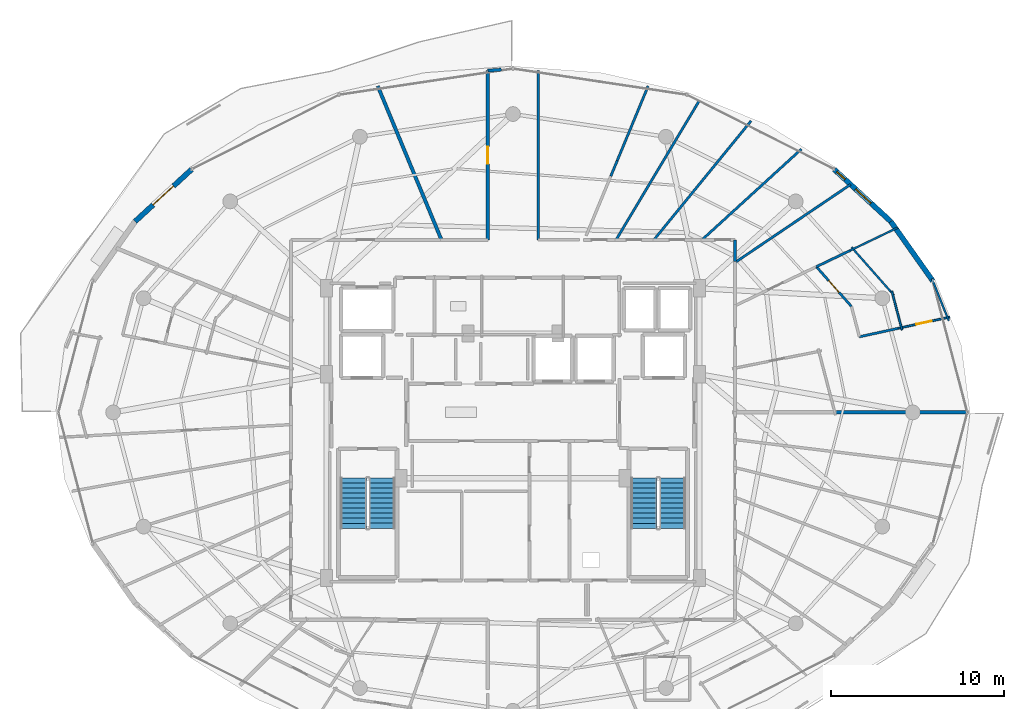
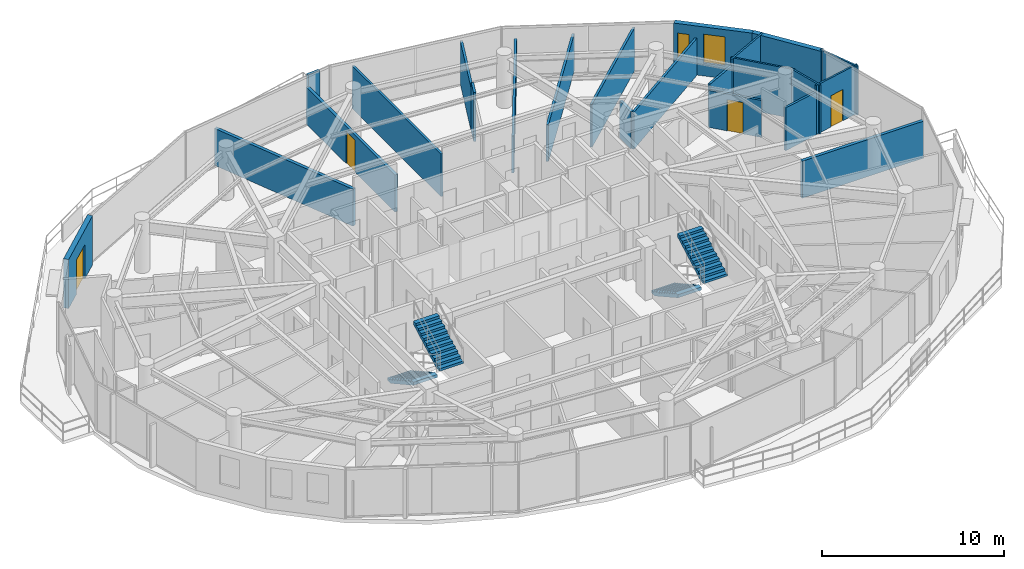
# One storey, part 25 of 29: 23 walls, 4 doors, 4 stair flights, 2 windows, 6 openings, 2 elements without a shape of their own.
"""IFC4 building model written with IfcOpenShell, lengths in metres."""

import ifcopenshell
import ifcopenshell.guid

model = None  # the IFC model being written
_history = None  # IfcOwnerHistory: only IFC2X3 demands one
_inside = {}  # id of a spatial element -> (the spatial element, [elements in it])
_under = {}  # id of a project, library or spatial element -> (it, [spatial elements below it])
_declared = {}  # id of a project -> (the project, [libraries it declares])
_typed = {}  # id of a type object -> (the type object, [elements of that type])
_made_of = {}  # id of a material, layer set ... -> (it, [elements and type objects made of it])


def new_model(schema):
    """Start an empty IFC model of exactly this schema.

    Asked for "IFC4X3", IfcOpenShell would pick the latest addendum, in which some entities
    have other attributes; the version numbers below select the first issue.
    IFC2X3 requires an IfcOwnerHistory on every rooted entity: one is made here for all.
    """
    global model, _history
    if schema == "IFC4X3":
        model = ifcopenshell.file(schema_version=(4, 3, 0, 0))
    else:
        model = ifcopenshell.file(schema=schema)
    _inside.clear()
    _under.clear()
    _declared.clear()
    _typed.clear()
    _made_of.clear()
    _history = None
    if model.schema == "IFC2X3":
        org = make("IfcOrganization", Name="unknown")
        user = make(
            "IfcPersonAndOrganization",
            ThePerson=make("IfcPerson", FamilyName="unknown"),
            TheOrganization=org,
        )
        app = make(
            "IfcApplication",
            ApplicationDeveloper=org,
            Version="unknown",
            ApplicationFullName="unknown",
            ApplicationIdentifier="unknown",
        )
        _history = make(
            "IfcOwnerHistory",
            OwningUser=user,
            OwningApplication=app,
            ChangeAction="ADDED",
            CreationDate=0,
        )
    return model


def make(cls, **values):
    """One entity of the class cls with the attributes given. An attribute that is None is left unset."""
    return model.create_entity(
        cls, **{name: value for name, value in values.items() if value is not None}
    )


def rooted(cls, **values):
    """An entity with a GlobalId (a new one), such as an element, a storey or a relation."""
    return make(cls, GlobalId=ifcopenshell.guid.new(), OwnerHistory=_history, **values)


def si_unit(unit_type, name, prefix=None):
    """IfcSIUnit, for example si_unit("LENGTHUNIT", "METRE", prefix="MILLI")."""
    return make("IfcSIUnit", UnitType=unit_type, Prefix=prefix, Name=name)


def assignment(units):
    """IfcUnitAssignment: the units of a project."""
    return None if units is None else make("IfcUnitAssignment", Units=units)


def point(xyz):
    """IfcCartesianPoint."""
    return None if xyz is None else make("IfcCartesianPoint", Coordinates=xyz)


def direction(xyz):
    """IfcDirection."""
    return None if xyz is None else make("IfcDirection", DirectionRatios=xyz)


def frame(location, z_axis=None, x_axis=None):
    """IfcAxis2Placement3D, a coordinate frame: its origin and axes. An axis left out is left unset."""
    return make(
        "IfcAxis2Placement3D",
        Location=point(location),
        Axis=direction(z_axis),
        RefDirection=direction(x_axis),
    )


def frame_2d(location, x_axis=None):
    """IfcAxis2Placement2D, a coordinate frame in the plane: its origin and x axis."""
    return make(
        "IfcAxis2Placement2D", Location=point(location), RefDirection=direction(x_axis)
    )


def origin():
    """The frame at (0, 0, 0) with its axes left unset."""
    return frame((0.0, 0.0, 0.0))


def place(relative_to, where):
    """IfcLocalPlacement: puts the frame where relative to a parent placement (None: the world)."""
    return make(
        "IfcLocalPlacement", PlacementRelTo=relative_to, RelativePlacement=where
    )


def context(
    kind, dimensions, precision=None, world=None, true_north=None, identifier=None
):
    """IfcGeometricRepresentationContext, for example the 3D "Model" context."""
    return make(
        "IfcGeometricRepresentationContext",
        ContextIdentifier=identifier,
        ContextType=kind,
        CoordinateSpaceDimension=dimensions,
        Precision=precision,
        WorldCoordinateSystem=world,
        TrueNorth=true_north,
    )


def subcontext(parent, identifier, kind, view, scale=None):
    """IfcGeometricRepresentationSubContext, for example "Body" below "Model"."""
    return make(
        "IfcGeometricRepresentationSubContext",
        ContextIdentifier=identifier,
        ContextType=kind,
        ParentContext=parent,
        TargetScale=scale,
        TargetView=view,
    )


def project(units=None, contexts=None):
    """IfcProject with its units and contexts."""
    return rooted(
        "IfcProject",
        Name="project",
        RepresentationContexts=contexts,
        UnitsInContext=assignment(units),
    )


def spatial(cls, under=None, at=None, **own):
    """A site, building, storey or space (cls), placed at a placement, below another one or the project."""
    s = rooted(cls, ObjectPlacement=at, **own)
    if under is not None:
        _under.setdefault(under.id(), (under, []))[1].append(s)
    return s


def polyline(points):
    """IfcPolyline through the points."""
    return make("IfcPolyline", Points=[point(p) for p in points])


def profile(cls, at=None, kind="AREA", **sizes):
    """A parametric profile (cls). Its sizes go by their IFC names, for example OverallWidth=200.0."""
    return make(cls, ProfileType=kind, Position=at, **sizes)


def rectangle(**sizes):
    """IfcRectangleProfileDef."""
    return profile("IfcRectangleProfileDef", **sizes)


def outline(outer, holes=None, kind="AREA"):
    """IfcArbitraryClosedProfileDef: a profile drawn as a closed curve; with holes, ...WithVoids."""
    if holes is None:
        return make("IfcArbitraryClosedProfileDef", ProfileType=kind, OuterCurve=outer)
    return make(
        "IfcArbitraryProfileDefWithVoids",
        ProfileType=kind,
        OuterCurve=outer,
        InnerCurves=holes,
    )


def extrude(swept, where, along, depth):
    """IfcExtrudedAreaSolid: the profile swept, set in the frame where, extruded along a direction by depth."""
    return make(
        "IfcExtrudedAreaSolid",
        SweptArea=swept,
        Position=where,
        ExtrudedDirection=direction(along),
        Depth=depth,
    )


def shape(context_of_items, identifier, shape_type, items):
    """IfcShapeRepresentation: the items that make up one representation, for example the "Body"."""
    return make(
        "IfcShapeRepresentation",
        ContextOfItems=context_of_items,
        RepresentationIdentifier=identifier,
        RepresentationType=shape_type,
        Items=items,
    )


def material(Name=None, Category=None):
    """IfcMaterial."""
    return make("IfcMaterial", Name=Name, Category=Category)


def layer(
    of_material, thickness, ventilated=None, Name=None, Category=None, Priority=None
):
    """IfcMaterialLayer: one layer of a wall or slab, of a material (None: an air gap)."""
    return make(
        "IfcMaterialLayer",
        Material=of_material,
        LayerThickness=thickness,
        IsVentilated=ventilated,
        Name=Name,
        Category=Category,
        Priority=Priority,
    )


def layer_set(layers, Name=None):
    """IfcMaterialLayerSet."""
    return make("IfcMaterialLayerSet", MaterialLayers=layers, LayerSetName=Name)


def made_of(thing, what):
    """Note that an element or type object is made of a material, layer set ...; save() writes the relation."""
    if what is not None:
        _made_of.setdefault(what.id(), (what, []))[1].append(thing)
    return thing


def type_object(cls, material=None, **own):
    """A type object (cls), such as IfcWallType, which elements share."""
    return made_of(rooted(cls, **own), material)


def element(
    cls,
    number,
    at=None,
    inside=None,
    cuts=None,
    type_object=None,
    material=None,
    context=None,
    identifier="Body",
    shape_type=None,
    held_by="IfcProductDefinitionShape",
    body=None,
    shapes=None,
    **own,
):
    """One element of the class cls, such as IfcWall. Its Tag is "e" and its number.

    at: its placement. inside: the storey or other place that contains it. cuts: it is an
    opening in that element (IfcRelVoidsElement). A single representation is given by context,
    identifier, shape_type and body (its items); several are given by shapes. held_by: the class
    of the entity that holds the representations. save() writes the other relations.
    """
    e = rooted(cls, Tag="e%d" % number, ObjectPlacement=at, **own)
    if body is not None:
        shapes = [shape(context, identifier, shape_type, body)]
    if shapes is not None:
        e.Representation = make(held_by, Representations=shapes)
    if inside is not None:
        _inside.setdefault(inside.id(), (inside, []))[1].append(e)
    if cuts is not None:
        rooted(
            "IfcRelVoidsElement", RelatingBuildingElement=cuts, RelatedOpeningElement=e
        )
    if type_object is not None:
        _typed.setdefault(type_object.id(), (type_object, []))[1].append(e)
    return made_of(e, material)


def fill(opening, filler):
    """IfcRelFillsElement: the door or window that sits in an opening."""
    return rooted(
        "IfcRelFillsElement",
        RelatingOpeningElement=opening,
        RelatedBuildingElement=filler,
    )


def aggregate(whole, parts):
    """IfcRelAggregates: a whole, such as a stair, and the parts it consists of."""
    return rooted("IfcRelAggregates", RelatingObject=whole, RelatedObjects=parts)


def save(model, path):
    """Write the relations noted so far, then the file.

    IfcRelAggregates (storeys below a building ...), IfcRelContainedInSpatialStructure (elements
    in a storey), IfcRelDefinesByType, IfcRelAssociatesMaterial and IfcRelDeclares: one each for
    every whole, place, type object, material and project.
    """
    for whole, parts in _under.values():
        aggregate(whole, parts)
    for where, things in _inside.values():
        rooted(
            "IfcRelContainedInSpatialStructure",
            RelatedElements=things,
            RelatingStructure=where,
        )
    for kind, things in _typed.values():
        rooted("IfcRelDefinesByType", RelatedObjects=things, RelatingType=kind)
    for what, things in _made_of.values():
        rooted("IfcRelAssociatesMaterial", RelatedObjects=things, RelatingMaterial=what)
    for by, libraries in _declared.values():
        rooted("IfcRelDeclares", RelatingContext=by, RelatedDefinitions=libraries)
    model.write(path)


model = new_model("IFC4")

# Units and contexts
model_context = context("Model", 3, precision=1e-05, world=origin(), true_north=direction((0.0, 1.0)))
body_context = subcontext(model_context, "Body", "Model", "MODEL_VIEW")
ifc_project = project(units=[si_unit("LENGTHUNIT", "METRE"), si_unit("AREAUNIT", "SQUARE_METRE"), si_unit("VOLUMEUNIT", "CUBIC_METRE"), si_unit("PLANEANGLEUNIT", "RADIAN"), si_unit("MASSUNIT", "GRAM", prefix="KILO")], contexts=[model_context])

# Site, building, storey
site_placement = place(None, origin())
site = spatial("IfcSite", under=ifc_project, at=site_placement, CompositionType="ELEMENT")
building_placement = place(site_placement, origin())
building = spatial("IfcBuilding", under=site, at=building_placement, Name="Vorneva Point Tower", CompositionType="ELEMENT")
storey_placement = place(building_placement, frame((0.0, 0.0, 259.10009765625)))
storey = spatial("IfcBuildingStorey", under=building, at=storey_placement, Name="L70", CompositionType="ELEMENT", Elevation=259.10009765625)

# Wall
ifc_material_1 = material(Name="Precast concrete B50 (C40/50)", Category="concrete")
ifc_layer_1 = layer(ifc_material_1, 0.300048828125)
ifc_layer_set_1 = layer_set([ifc_layer_1], Name="Precast concrete B50 (C40/50)")
wall_type_1 = type_object("IfcWallType", Name="WL-EXT-300", PredefinedType="STANDARD", material=ifc_layer_set_1)
wall_1_placement = place(storey_placement, frame((62.20556640625, 33.5810546875, 0.0), z_axis=(0.0, 0.0, 1.0), x_axis=(-0.577261247247, 0.816559521668, 0.0)))
element("IfcWall", 1, at=wall_1_placement, inside=storey, type_object=wall_type_1, Name="L70 Pale-Metal Facade Spandrel Wall 02.1", PredefinedType="STANDARD", context=body_context, shape_type="SweptSolid", body=[
    extrude(rectangle(XDim=4.194091796875, YDim=0.300048828125, at=frame_2d((2.09716796875, 0.0))), origin(), (0.0, 0.0, 1.0), 3.289794921875),
])

# Wall, openings, windows
wall_2_placement = place(storey_placement, frame((59.784423828125, 37.005859375, 0.0), z_axis=(0.0, 0.0, 1.0), x_axis=(-0.735445373611, 0.677584018727, 0.0)))
wall_2 = element("IfcWall", 2, at=wall_2_placement, inside=storey, type_object=wall_type_1, Name="L70 Pale-Metal Facade Spandrel Wall 02.2", PredefinedType="STANDARD", context=body_context, shape_type="SweptSolid", body=[
    extrude(rectangle(XDim=4.430419921875, YDim=0.300048828125, at=frame_2d((2.21533203125, 0.0))), origin(), (0.0, 0.0, 1.0), 3.289794921875),
])
opening_1_placement = place(wall_2_placement, frame((1.55615234375, 0.0, 0.85009765625)))
opening_1 = element("IfcOpeningElement", 3, at=opening_1_placement, cuts=wall_2, Name="Opening W-04", PredefinedType="OPENING", context=body_context, shape_type="SweptSolid", body=[
    extrude(rectangle(XDim=1.199951171875, YDim=1.949951171875, at=frame_2d((0.60009765625, 0.97509765625))), frame((0.0, 0.1650390625, 0.0), z_axis=(0.0, -1.0, 0.0), x_axis=(1.0, 0.0, 0.0)), (0.0, 0.0, 1.0), 0.329833984375),
])
opening_2_placement = place(wall_2_placement, frame((3.5810546875, 0.0, 0.85009765625)))
opening_2 = element("IfcOpeningElement", 4, at=opening_2_placement, cuts=wall_2, Name="Opening W-09", PredefinedType="OPENING", context=body_context, shape_type="SweptSolid", body=[
    extrude(rectangle(XDim=0.64990234375, YDim=1.800048828125, at=frame_2d((0.324951171875, 0.89990234375))), frame((0.0, 0.1650390625, 0.0), z_axis=(0.0, -1.0, 0.0), x_axis=(1.0, 0.0, 0.0)), (0.0, 0.0, 1.0), 0.329833984375),
])
ifc_material_2 = material(Name="Double low-e laminated glass IGU", Category="glass")
window_type_1 = type_object("IfcWindowType", Name="WN-CAS-650", PartitioningType="SINGLE_PANEL", PredefinedType="WINDOW", material=ifc_material_2)
window_1_placement = place(opening_2_placement, origin())
window_1 = element("IfcWindow", 5, at=window_1_placement, inside=storey, type_object=window_type_1, Name="L70 Dwelling Vision Window 07", OverallHeight=1.800048828125, OverallWidth=0.64990234375, PartitioningType="SINGLE_PANEL", PredefinedType="WINDOW", context=body_context, shape_type="SweptSolid", body=[
    extrude(rectangle(XDim=0.64990234375, YDim=1.800048828125, at=frame_2d((0.324951171875, 0.89990234375))), frame((0.0, 0.030029296875, 0.0), z_axis=(0.0, -1.0, 0.0), x_axis=(1.0, 0.0, 0.0)), (0.0, 0.0, 1.0), 0.06005859375),
])
fill(opening_2, window_1)
window_type_2 = type_object("IfcWindowType", Name="WN-RES-1200", PartitioningType="SINGLE_PANEL", PredefinedType="WINDOW", material=ifc_material_2)
window_2_placement = place(opening_1_placement, origin())
window_2 = element("IfcWindow", 6, at=window_2_placement, inside=storey, type_object=window_type_2, Name="L70 Dwelling Vision Window 06", OverallHeight=1.949951171875, OverallWidth=1.199951171875, PartitioningType="SINGLE_PANEL", PredefinedType="WINDOW", context=body_context, shape_type="SweptSolid", body=[
    extrude(rectangle(XDim=1.199951171875, YDim=1.949951171875, at=frame_2d((0.60009765625, 0.97509765625))), frame((0.0, 0.030029296875, 0.0), z_axis=(0.0, -1.0, 0.0), x_axis=(1.0, 0.0, 0.0)), (0.0, 0.0, 1.0), 0.06005859375),
])
fill(opening_1, window_2)

# Wall, opening, door
wall_3_placement = place(storey_placement, frame((19.473876953125, 40.0078125, 0.0), z_axis=(0.0, 0.0, 1.0), x_axis=(-0.735445373611, -0.677584018727, 0.0)))
wall_3 = element("IfcWall", 7, at=wall_3_placement, inside=storey, type_object=wall_type_1, Name="L70 Pale-Metal Facade Spandrel Wall 07.1", PredefinedType="STANDARD", context=body_context, shape_type="SweptSolid", body=[
    extrude(rectangle(XDim=4.430419921875, YDim=0.300048828125, at=frame_2d((2.21533203125, 0.0))), origin(), (0.0, 0.0, 1.0), 3.289794921875),
])
opening_3_placement = place(wall_3_placement, frame((1.415283203125, 0.0, 0.0)))
opening_3 = element("IfcOpeningElement", 8, at=opening_3_placement, cuts=wall_3, Name="Opening BD-01", PredefinedType="OPENING", context=body_context, shape_type="SweptSolid", body=[
    extrude(rectangle(XDim=1.60009765625, YDim=2.300048828125, at=frame_2d((0.800048828125, 1.14990234375))), frame((0.0, 0.1650390625, 0.0), z_axis=(0.0, -1.0, 0.0), x_axis=(1.0, 0.0, 0.0)), (0.0, 0.0, 1.0), 0.329833984375),
])
ifc_material_3 = material(Name="Pale anodised aluminium", Category="aluminium")
door_type_1 = type_object("IfcDoorType", Name="DR-BAL-1600", OperationType="SLIDING_TO_LEFT", PredefinedType="DOOR", material=ifc_material_3)
door_1_placement = place(opening_3_placement, origin())
door_1 = element("IfcDoor", 9, at=door_1_placement, inside=storey, type_object=door_type_1, Name="L70 Balcony Terrace Access Door 07", OperationType="SLIDING_TO_LEFT", OverallHeight=2.300048828125, OverallWidth=1.60009765625, PredefinedType="DOOR", context=body_context, shape_type="SweptSolid", body=[
    extrude(rectangle(XDim=1.60009765625, YDim=2.300048828125, at=frame_2d((0.800048828125, 1.14990234375))), frame((0.0, 0.02490234375, 0.0), z_axis=(0.0, -1.0, 0.0), x_axis=(1.0, 0.0, 0.0)), (0.0, 0.0, 1.0), 0.050048828125),
])
fill(opening_3, door_1)

# Walls
ifc_material_4 = material(Name="Fire-rated acoustic gypsum stud partition", Category="gypsum")
ifc_layer_2 = layer(ifc_material_4, 0.110107421875)
ifc_layer_set_2 = layer_set([ifc_layer_2], Name="Fire-rated acoustic gypsum stud partition")
wall_type_2 = type_object("IfcWallType", Name="WL-PART-110", PredefinedType="PARTITIONING", material=ifc_layer_set_2)
wall_4_placement = place(storey_placement, frame((57.431884765625, 35.330322265625, 0.0), z_axis=(0.0, 0.0, 1.0), x_axis=(0.90133305384, 0.43312668592, 0.0)))
element("IfcWall", 10, at=wall_4_placement, inside=storey, type_object=wall_type_2, Name="L70 Interior Partition 126", PredefinedType="PARTITIONING", context=body_context, shape_type="SweptSolid", body=[
    extrude(rectangle(XDim=3.069091796875, YDim=0.110107421875, at=frame_2d((1.53466796875, 0.0))), origin(), (0.0, 0.0, 1.0), 3.289794921875),
])
wall_5_placement = place(storey_placement, frame((63.126220703125, 31.281982421875, 0.0), z_axis=(0.0, 0.0, 1.0), x_axis=(-0.371940924939, 0.92825640227, 0.0)))
element("IfcWall", 11, at=wall_5_placement, inside=storey, type_object=wall_type_2, Name="L70 Interior Partition 127", PredefinedType="PARTITIONING", context=body_context, shape_type="SweptSolid", body=[
    extrude(rectangle(XDim=2.6005859375, YDim=0.110107421875, at=frame_2d((1.30029296875, 0.0))), origin(), (0.0, 0.0, 1.0), 3.289794921875),
])

# Wall, opening, door
wall_6_placement = place(storey_placement, frame((63.187744140625, 31.497802734375, 0.0), z_axis=(0.0, 0.0, 1.0), x_axis=(-0.976993096252, -0.213270930688, 0.0)))
wall_6 = element("IfcWall", 12, at=wall_6_placement, inside=storey, type_object=wall_type_2, Name="L70 Interior Partition 128", PredefinedType="PARTITIONING", context=body_context, shape_type="SweptSolid", body=[
    extrude(rectangle(XDim=3.059814453125, YDim=0.110107421875, at=frame_2d((1.52978515625, 0.0))), origin(), (0.0, 0.0, 1.0), 3.289794921875),
])
opening_4_placement = place(wall_6_placement, frame((1.080078125, 0.0, 0.0)))
opening_4 = element("IfcOpeningElement", 13, at=opening_4_placement, cuts=wall_6, Name="Opening ID-01", PredefinedType="OPENING", context=body_context, shape_type="SweptSolid", body=[
    extrude(rectangle(XDim=0.89990234375, YDim=2.10009765625, at=frame_2d((0.449951171875, 1.050048828125))), frame((0.0, 0.06982421875, 0.0), z_axis=(0.0, -1.0, 0.0), x_axis=(1.0, 0.0, 0.0)), (0.0, 0.0, 1.0), 0.139892578125),
])
ifc_material_5 = material(Name="Engineered oak fire-rated door leaf", Category="wood")
door_type_2 = type_object("IfcDoorType", Name="DR-ROOM-900", OperationType="NOTDEFINED", PredefinedType="DOOR", material=ifc_material_5)
door_2_placement = place(opening_4_placement, origin())
door_2 = element("IfcDoor", 14, at=door_2_placement, inside=storey, type_object=door_type_2, Name="L70 Door Living and Dining Room L70-04 / Kitchen L70-04", OperationType="SINGLE_SWING_LEFT", OverallHeight=2.10009765625, OverallWidth=0.89990234375, PredefinedType="DOOR", context=body_context, shape_type="SweptSolid", body=[
    extrude(rectangle(XDim=0.89990234375, YDim=2.10009765625, at=frame_2d((0.449951171875, 1.050048828125))), frame((0.0, 0.02490234375, 0.0), z_axis=(0.0, -1.0, 0.0), x_axis=(1.0, 0.0, 0.0)), (0.0, 0.0, 1.0), 0.050048828125),
])
fill(opening_4, door_2)

# Walls
wall_7_placement = place(storey_placement, frame((57.519287109375, 35.52197265625, 0.0), z_axis=(0.0, 0.0, 1.0), x_axis=(0.662055665853, -0.749454665281, 0.0)))
element("IfcWall", 15, at=wall_7_placement, inside=storey, type_object=wall_type_2, Name="L70 Interior Partition 134", PredefinedType="PARTITIONING", context=body_context, shape_type="SweptSolid", body=[
    extrude(rectangle(XDim=3.701171875, YDim=0.110107421875, at=frame_2d((1.8505859375, 0.0))), origin(), (0.0, 0.0, 1.0), 3.289794921875),
])
wall_8_placement = place(storey_placement, frame((59.84130859375, 32.98828125, 0.0), z_axis=(0.0, 0.0, 1.0), x_axis=(0.254519291204, -0.967067696909, 0.0)))
element("IfcWall", 16, at=wall_8_placement, inside=storey, type_object=wall_type_2, Name="L70 Interior Partition 135", PredefinedType="PARTITIONING", context=body_context, shape_type="SweptSolid", body=[
    extrude(rectangle(XDim=2.311767578125, YDim=0.110107421875, at=frame_2d((1.15576171875, 0.0))), origin(), (0.0, 0.0, 1.0), 3.289794921875),
])

# Wall, opening, door
ifc_layer_3 = layer(ifc_material_4, 0.139892578125)
ifc_layer_set_3 = layer_set([ifc_layer_3], Name="Fire-rated acoustic gypsum stud partition")
wall_type_3 = type_object("IfcWallType", Name="WL-PART-140", PredefinedType="PARTITIONING", material=ifc_layer_set_3)
wall_9_placement = place(storey_placement, frame((57.511962890625, 32.112060546875, 0.0), z_axis=(0.0, 0.0, 1.0), x_axis=(-0.662026430628, 0.749480490173, 0.0)))
wall_9 = element("IfcWall", 17, at=wall_9_placement, inside=storey, type_object=wall_type_3, Name="L70 Interior Partition 130", PredefinedType="PARTITIONING", context=body_context, shape_type="SweptSolid", body=[
    extrude(rectangle(XDim=3.05126953125, YDim=0.139892578125, at=frame_2d((1.525634765625, 0.0))), origin(), (0.0, 0.0, 1.0), 2.48193359375),
])
opening_5_placement = place(wall_9_placement, frame((1.07568359375, 0.0, 0.0)))
opening_5 = element("IfcOpeningElement", 18, at=opening_5_placement, cuts=wall_9, Name="Opening ID-01", PredefinedType="OPENING", context=body_context, shape_type="SweptSolid", body=[
    extrude(rectangle(XDim=0.89990234375, YDim=2.10009765625, at=frame_2d((0.449951171875, 1.050048828125))), frame((0.0, 0.0849609375, 0.0), z_axis=(0.0, -1.0, 0.0), x_axis=(1.0, 0.0, 0.0)), (0.0, 0.0, 1.0), 0.169677734375),
])
door_3_placement = place(opening_5_placement, origin())
door_3 = element("IfcDoor", 19, at=door_3_placement, inside=storey, type_object=door_type_2, Name="L70 Door Living and Dining Room L70-04 / Study Room L70-04", OperationType="SINGLE_SWING_RIGHT", OverallHeight=2.10009765625, OverallWidth=0.89990234375, PredefinedType="DOOR", context=body_context, shape_type="SweptSolid", body=[
    extrude(rectangle(XDim=0.89990234375, YDim=2.10009765625, at=frame_2d((0.449951171875, 1.050048828125))), frame((0.0, 0.02490234375, 0.0), z_axis=(0.0, -1.0, 0.0), x_axis=(1.0, 0.0, 0.0)), (0.0, 0.0, 1.0), 0.050048828125),
])
fill(opening_5, door_3)

# Walls
wall_10_placement = place(storey_placement, frame((55.491943359375, 34.39892578125, 0.0), z_axis=(0.0, 0.0, 1.0), x_axis=(0.901372521065, 0.433044545363, 0.0)))
element("IfcWall", 20, at=wall_10_placement, inside=storey, type_object=wall_type_3, Name="L70 Interior Partition 131", PredefinedType="PARTITIONING", context=body_context, shape_type="SweptSolid", body=[
    extrude(rectangle(XDim=2.15185546875, YDim=0.139892578125, at=frame_2d((1.075927734375, 0.0))), origin(), (0.0, 0.0, 1.0), 2.8740234375),
])
wall_11_placement = place(storey_placement, frame((60.1982421875, 30.844970703125, 0.0), z_axis=(0.0, 0.0, 1.0), x_axis=(-0.976965000645, -0.213399595862, 0.0)))
element("IfcWall", 21, at=wall_11_placement, inside=storey, type_object=wall_type_3, Name="L70 Interior Partition 132", PredefinedType="PARTITIONING", context=body_context, shape_type="SweptSolid", body=[
    extrude(rectangle(XDim=2.27783203125, YDim=0.139892578125, at=frame_2d((1.138916015625, 0.0))), origin(), (0.0, 0.0, 1.0), 2.8740234375),
])
wall_12_placement = place(storey_placement, frame((57.466064453125, 39.139892578125, 0.0), z_axis=(0.0, 0.0, 1.0), x_axis=(-0.828823335801, -0.559510391352, 0.0)))
element("IfcWall", 22, at=wall_12_placement, inside=storey, type_object=wall_type_3, Name="L70 Interior Partition 136", PredefinedType="PARTITIONING", context=body_context, shape_type="SweptSolid", body=[
    extrude(rectangle(XDim=8.042724609375, YDim=0.139892578125, at=frame_2d((4.021484375, 0.0))), origin(), (0.0, 0.0, 1.0), 2.48193359375),
])
wall_13_placement = place(storey_placement, frame((54.631103515625, 41.180908203125, 0.0), z_axis=(0.0, 0.0, 1.0), x_axis=(-0.73860604902, -0.674137303783, 0.0)))
element("IfcWall", 23, at=wall_13_placement, inside=storey, type_object=wall_type_3, Name="L70 Interior Partition 137", PredefinedType="PARTITIONING", context=body_context, shape_type="SweptSolid", body=[
    extrude(rectangle(XDim=7.759521484375, YDim=0.139892578125, at=frame_2d((3.8798828125, 0.0))), origin(), (0.0, 0.0, 1.0), 2.8740234375),
])
wall_14_placement = place(storey_placement, frame((51.72509765625, 42.803955078125, 0.0), z_axis=(0.0, 0.0, 1.0), x_axis=(-0.632582563989, -0.774492930721, 0.0)))
element("IfcWall", 24, at=wall_14_placement, inside=storey, type_object=wall_type_3, Name="L70 Interior Partition 138", PredefinedType="PARTITIONING", context=body_context, shape_type="SweptSolid", body=[
    extrude(rectangle(XDim=8.849609375, YDim=0.139892578125, at=frame_2d((4.4248046875, 0.0))), origin(), (0.0, 0.0, 1.0), 2.48193359375),
])
wall_15_placement = place(storey_placement, frame((48.761962890625, 44.00390625, 0.0), z_axis=(0.0, 0.0, 1.0), x_axis=(-0.51305247577, -0.858357243289, 0.0)))
element("IfcWall", 25, at=wall_15_placement, inside=storey, type_object=wall_type_3, Name="L70 Interior Partition 139", PredefinedType="PARTITIONING", context=body_context, shape_type="SweptSolid", body=[
    extrude(rectangle(XDim=9.383056640625, YDim=0.139892578125, at=frame_2d((4.69140625, 0.0))), origin(), (0.0, 0.0, 1.0), 2.48193359375),
])
wall_16_placement = place(storey_placement, frame((39.449951171875, 35.949951171875, 0.0), z_axis=(0.0, 0.0, 1.0), x_axis=(0.0, 1.0, 0.0)))
element("IfcWall", 26, at=wall_16_placement, inside=storey, type_object=wall_type_3, Name="L70 Interior Closure Partition 156", PredefinedType="PARTITIONING", context=body_context, shape_type="SweptSolid", body=[
    extrude(rectangle(XDim=9.7509765625, YDim=0.139892578125, at=frame_2d((4.87548828125, 0.0))), origin(), (0.0, 0.0, 1.0), 2.8740234375),
])
wall_17_placement = place(storey_placement, frame((45.79296875, 44.81298828125, 0.0), z_axis=(0.0, 0.0, 1.0), x_axis=(-0.382733290986, -0.923858878818, 0.0)))
element("IfcWall", 27, at=wall_17_placement, inside=storey, type_object=wall_type_3, Name="L70 Interior Closure Partition 169", PredefinedType="PARTITIONING", context=body_context, shape_type="SweptSolid", body=[
    extrude(rectangle(XDim=4.6533203125, YDim=0.139892578125, at=frame_2d((2.32666015625, 0.0))), origin(), (0.0, 0.0, 1.0), 2.8740234375),
])
wall_18_placement = place(storey_placement, frame((44.011962890625, 40.513916015625, 0.0), z_axis=(0.0, 0.0, 1.0), x_axis=(-0.382941999237, -0.923772388211, 0.0)))
element("IfcWall", 28, at=wall_18_placement, inside=storey, type_object=wall_type_3, Name="L70 Interior Closure Partition 170", PredefinedType="PARTITIONING", context=body_context, shape_type="SweptSolid", body=[
    extrude(rectangle(XDim=0.97412109375, YDim=0.139892578125, at=frame_2d((0.487060546875, 0.0))), origin(), (0.0, 0.0, 1.0), 3.289794921875),
])
ifc_material_6 = material(Name="Autoclaved aerated concrete blockwork", Category="masonry")
ifc_layer_4 = layer(ifc_material_6, 0.179931640625)
ifc_layer_set_4 = layer_set([ifc_layer_4], Name="Autoclaved aerated concrete blockwork")
wall_type_4 = type_object("IfcWallType", Name="WL-PART-180", PredefinedType="PARTITIONING", material=ifc_layer_set_4)
wall_19_placement = place(storey_placement, frame((50.800048828125, 34.7119140625, 0.0), z_axis=(0.0, 0.0, 1.0), x_axis=(0.0, 1.0, 0.0)))
element("IfcWall", 29, at=wall_19_placement, inside=storey, type_object=wall_type_4, Name="L70 Interior Partition 058", PredefinedType="PARTITIONING", context=body_context, shape_type="SweptSolid", body=[
    extrude(rectangle(XDim=1.238037109375, YDim=0.179931640625, at=frame_2d((0.619140625, 0.0))), origin(), (0.0, 0.0, 1.0), 2.48193359375),
])
wall_20_placement = place(storey_placement, frame((37.3291015625, 45.760009765625, 0.0), z_axis=(0.0, 0.0, 1.0), x_axis=(-0.997136622012, -0.0756211415, 0.0)))
element("IfcWall", 30, at=wall_20_placement, inside=storey, type_object=wall_type_4, Name="L70 Interior Partition 063", PredefinedType="PARTITIONING", context=body_context, shape_type="SweptSolid", body=[
    extrude(rectangle(XDim=0.78125, YDim=0.179931640625, at=frame_2d((0.390625, 0.0))), origin(), (0.0, 0.0, 1.0), 3.289794921875),
])

# Wall, opening, door
wall_21_placement = place(storey_placement, frame((36.550048828125, 45.700927734375, 0.0), z_axis=(0.0, 0.0, 1.0), x_axis=(0.0, -1.0, 0.0)))
wall_21 = element("IfcWall", 31, at=wall_21_placement, inside=storey, type_object=wall_type_4, Name="L70 Interior Partition 064", PredefinedType="PARTITIONING", context=body_context, shape_type="SweptSolid", body=[
    extrude(rectangle(XDim=9.7509765625, YDim=0.179931640625, at=frame_2d((4.87548828125, 0.0))), origin(), (0.0, 0.0, 1.0), 2.48193359375),
])
opening_6_placement = place(wall_21_placement, frame((4.37548828125, 0.0, 0.0)))
opening_6 = element("IfcOpeningElement", 32, at=opening_6_placement, cuts=wall_21, Name="Opening UD-01", PredefinedType="OPENING", context=body_context, shape_type="SweptSolid", body=[
    extrude(rectangle(XDim=1.0, YDim=2.14990234375, at=frame_2d((0.5, 1.074951171875))), frame((0.0, 0.10498046875, 0.0), z_axis=(0.0, -1.0, 0.0), x_axis=(1.0, 0.0, 0.0)), (0.0, 0.0, 1.0), 0.209716796875),
])
door_type_3 = type_object("IfcDoorType", Name="DR-UNIT-1000", OperationType="NOTDEFINED", PredefinedType="DOOR", material=ifc_material_5)
door_4_placement = place(opening_6_placement, origin())
door_4 = element("IfcDoor", 33, at=door_4_placement, inside=storey, type_object=door_type_3, Name="L70 Door L70 Circulation Corridor / Residents Co-Working Office L70-05", OperationType="SINGLE_SWING_LEFT", OverallHeight=2.14990234375, OverallWidth=1.0, PredefinedType="DOOR", context=body_context, shape_type="SweptSolid", body=[
    extrude(rectangle(XDim=1.0, YDim=2.14990234375, at=frame_2d((0.5, 1.074951171875))), frame((0.0, 0.02490234375, 0.0), z_axis=(0.0, -1.0, 0.0), x_axis=(1.0, 0.0, 0.0)), (0.0, 0.0, 1.0), 0.050048828125),
])
fill(opening_6, door_4)

# Walls
ifc_layer_5 = layer(ifc_material_6, 0.199951171875)
ifc_layer_set_5 = layer_set([ifc_layer_5], Name="Autoclaved aerated concrete blockwork")
wall_type_5 = type_object("IfcWallType", Name="WL-PART-200", PredefinedType="PARTITIONING", material=ifc_layer_set_5)
wall_22_placement = place(storey_placement, frame((64.198974609375, 26.0, 0.0), z_axis=(0.0, 0.0, 1.0), x_axis=(-1.0, 0.0, 0.0)))
element("IfcWall", 34, at=wall_22_placement, inside=storey, type_object=wall_type_5, Name="L70 Interior Partition 122", PredefinedType="PARTITIONING", context=body_context, shape_type="SweptSolid", body=[
    extrude(rectangle(XDim=7.700927734375, YDim=0.199951171875, at=frame_2d((3.8505859375, 0.0))), origin(), (0.0, 0.0, 1.0), 2.48193359375),
])
wall_23_placement = place(storey_placement, frame((30.20703125, 44.81298828125, 0.0), z_axis=(0.0, 0.0, 1.0), x_axis=(0.38274436158, -0.92385429245, 0.0)))
element("IfcWall", 35, at=wall_23_placement, inside=storey, type_object=wall_type_5, Name="L70 Interior Partition 140", PredefinedType="PARTITIONING", context=body_context, shape_type="SweptSolid", body=[
    extrude(rectangle(XDim=9.593505859375, YDim=0.199951171875, at=frame_2d((4.796875, 0.0))), origin(), (0.0, 0.0, 1.0), 2.48193359375),
])

# Stair, stair flights
ifc_material_7 = material(Name="Concrete B50 (C40/50)", Category="concrete")
stair_type = type_object("IfcStairType", Name="ST-DOG-1500", PredefinedType="HALF_TURN_STAIR", material=ifc_material_7)
stair_1_placement = place(storey_placement, origin())
stair_1 = element("IfcStair", 36, at=stair_1_placement, inside=storey, type_object=stair_type, Name="L70 ST1", PredefinedType="HALF_TURN_STAIR")
stair_flight_type = type_object("IfcStairFlightType", Name="STF-1500", PredefinedType="STRAIGHT", material=ifc_material_7)
stair_flight_1_placement = place(storey_placement, frame((28.800048828125, 22.219970703125, 0.0), z_axis=(0.0, 0.0, 1.0), x_axis=(0.0, -1.0, 0.0)))
stair_flight_1 = element("IfcStairFlight", 37, at=stair_flight_1_placement, type_object=stair_flight_type, Name="ST1 flight 1", NumberOfRisers=11, NumberOfTreads=10, PredefinedType="STRAIGHT", RiserHeight=0.161363636, TreadLength=0.29, context=body_context, shape_type="SweptSolid", body=[
    extrude(outline(polyline([(0.0, 0.0), (0.0, 0.161376953125), (0.2900390625, 0.161376953125), (0.2900390625, 0.32275390625), (0.580078125, 0.32275390625), (0.580078125, 0.484130859375), (0.8701171875, 0.484130859375), (0.8701171875, 0.6455078125), (1.159912109375, 0.6455078125), (1.159912109375, 0.806884765625), (1.449951171875, 0.806884765625), (1.449951171875, 0.96826171875), (1.739990234375, 0.96826171875), (1.739990234375, 1.129638671875), (2.030029296875, 1.129638671875), (2.030029296875, 1.291015625), (2.320068359375, 1.291015625), (2.320068359375, 1.452392578125), (2.610107421875, 1.452392578125), (2.610107421875, 1.613525390625), (2.89990234375, 1.613525390625), (2.89990234375, 1.77490234375), (2.89990234375, 1.40771484375), (0.3701171875, 0.0), (0.0, 0.0)])), frame((0.0, 0.75, 0.0), z_axis=(0.0, -1.0, 0.0), x_axis=(1.0, 0.0, 0.0)), (0.0, 0.0, 1.0), 1.5),
])
stair_flight_2_placement = place(storey_placement, frame((30.449951171875, 19.320068359375, 1.77490234375), z_axis=(0.0, 0.0, 1.0), x_axis=(0.0, 1.0, 0.0)))
stair_flight_2 = element("IfcStairFlight", 38, at=stair_flight_2_placement, type_object=stair_flight_type, Name="ST1 flight 2", NumberOfRisers=11, NumberOfTreads=10, PredefinedType="STRAIGHT", RiserHeight=0.161363636, TreadLength=0.29, context=body_context, shape_type="SweptSolid", body=[
    extrude(outline(polyline([(0.0, 0.0), (0.0, 0.161376953125), (0.2900390625, 0.161376953125), (0.2900390625, 0.32275390625), (0.580078125, 0.32275390625), (0.580078125, 0.484130859375), (0.8701171875, 0.484130859375), (0.8701171875, 0.6455078125), (1.159912109375, 0.6455078125), (1.159912109375, 0.806884765625), (1.449951171875, 0.806884765625), (1.449951171875, 0.96826171875), (1.739990234375, 0.96826171875), (1.739990234375, 1.129638671875), (2.030029296875, 1.129638671875), (2.030029296875, 1.291015625), (2.320068359375, 1.291015625), (2.320068359375, 1.452392578125), (2.610107421875, 1.452392578125), (2.610107421875, 1.613525390625), (2.89990234375, 1.613525390625), (2.89990234375, 1.77490234375), (2.89990234375, 1.40771484375), (0.3701171875, 0.0), (0.0, 0.0)])), frame((0.0, 0.75, 0.0), z_axis=(0.0, -1.0, 0.0), x_axis=(1.0, 0.0, 0.0)), (0.0, 0.0, 1.0), 1.5),
])
aggregate(stair_1, [stair_flight_1, stair_flight_2])

stair_2_placement = place(storey_placement, origin())
stair_2 = element("IfcStair", 39, at=stair_2_placement, inside=storey, type_object=stair_type, Name="L70 ST2", PredefinedType="HALF_TURN_STAIR")
stair_flight_3_placement = place(storey_placement, frame((45.550048828125, 22.219970703125, 0.0), z_axis=(0.0, 0.0, 1.0), x_axis=(0.0, -1.0, 0.0)))
stair_flight_3 = element("IfcStairFlight", 40, at=stair_flight_3_placement, type_object=stair_flight_type, Name="ST2 flight 1", NumberOfRisers=11, NumberOfTreads=10, PredefinedType="STRAIGHT", RiserHeight=0.161363636, TreadLength=0.29, context=body_context, shape_type="SweptSolid", body=[
    extrude(outline(polyline([(0.0, 0.0), (0.0, 0.161376953125), (0.2900390625, 0.161376953125), (0.2900390625, 0.32275390625), (0.580078125, 0.32275390625), (0.580078125, 0.484130859375), (0.8701171875, 0.484130859375), (0.8701171875, 0.6455078125), (1.159912109375, 0.6455078125), (1.159912109375, 0.806884765625), (1.449951171875, 0.806884765625), (1.449951171875, 0.96826171875), (1.739990234375, 0.96826171875), (1.739990234375, 1.129638671875), (2.030029296875, 1.129638671875), (2.030029296875, 1.291015625), (2.320068359375, 1.291015625), (2.320068359375, 1.452392578125), (2.610107421875, 1.452392578125), (2.610107421875, 1.613525390625), (2.89990234375, 1.613525390625), (2.89990234375, 1.77490234375), (2.89990234375, 1.40771484375), (0.3701171875, 0.0), (0.0, 0.0)])), frame((0.0, 0.75, 0.0), z_axis=(0.0, -1.0, 0.0), x_axis=(1.0, 0.0, 0.0)), (0.0, 0.0, 1.0), 1.5),
])
stair_flight_4_placement = place(storey_placement, frame((47.199951171875, 19.320068359375, 1.77490234375), z_axis=(0.0, 0.0, 1.0), x_axis=(0.0, 1.0, 0.0)))
stair_flight_4 = element("IfcStairFlight", 41, at=stair_flight_4_placement, type_object=stair_flight_type, Name="ST2 flight 2", NumberOfRisers=11, NumberOfTreads=10, PredefinedType="STRAIGHT", RiserHeight=0.161363636, TreadLength=0.29, context=body_context, shape_type="SweptSolid", body=[
    extrude(outline(polyline([(0.0, 0.0), (0.0, 0.161376953125), (0.2900390625, 0.161376953125), (0.2900390625, 0.32275390625), (0.580078125, 0.32275390625), (0.580078125, 0.484130859375), (0.8701171875, 0.484130859375), (0.8701171875, 0.6455078125), (1.159912109375, 0.6455078125), (1.159912109375, 0.806884765625), (1.449951171875, 0.806884765625), (1.449951171875, 0.96826171875), (1.739990234375, 0.96826171875), (1.739990234375, 1.129638671875), (2.030029296875, 1.129638671875), (2.030029296875, 1.291015625), (2.320068359375, 1.291015625), (2.320068359375, 1.452392578125), (2.610107421875, 1.452392578125), (2.610107421875, 1.613525390625), (2.89990234375, 1.613525390625), (2.89990234375, 1.77490234375), (2.89990234375, 1.40771484375), (0.3701171875, 0.0), (0.0, 0.0)])), frame((0.0, 0.75, 0.0), z_axis=(0.0, -1.0, 0.0), x_axis=(1.0, 0.0, 0.0)), (0.0, 0.0, 1.0), 1.5),
])
aggregate(stair_2, [stair_flight_3, stair_flight_4])

save(model, "model.ifc")
